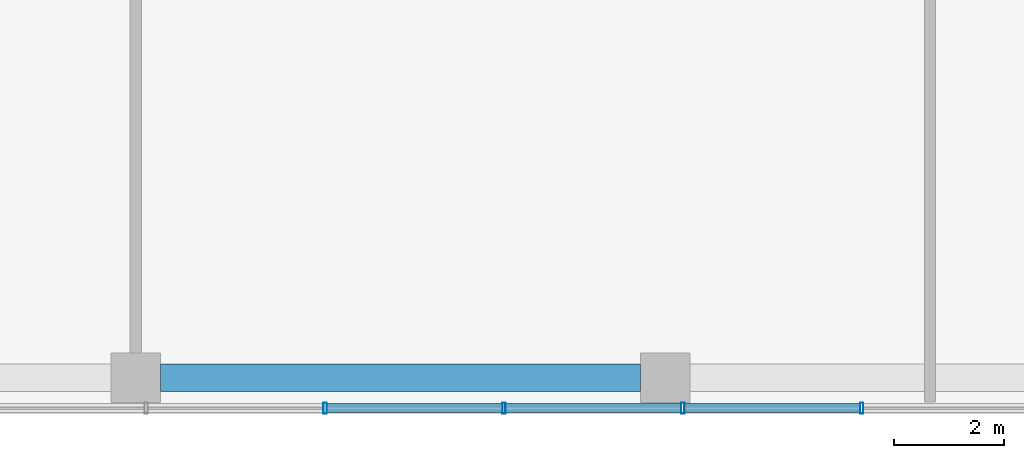
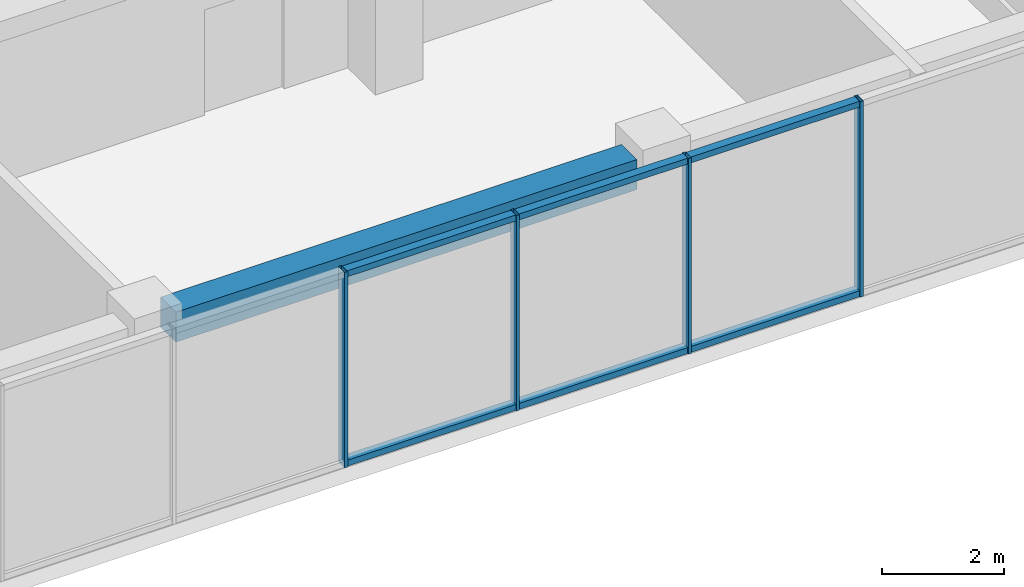
# One storey, part 12 of 38: 10 members, 1 beam, 1 element without a shape of its own.
"""IFC4 building model written with IfcOpenShell, lengths in metres."""

from ifc_helpers import new_model, si_unit, direction, frame, origin, origin_2d, place, context, subcontext, project, spatial, rectangle, hollow_rectangle, extrude, material, layer, layer_set, material_profile, profile_set, type_object, element, aggregate, save


model = new_model("IFC4")

# Units and contexts
model_context = context("Model", 3, precision=1e-05, world=origin(), true_north=direction((0.0, 1.0)))
body_context = subcontext(model_context, "Body", "Model", "MODEL_VIEW")
ifc_project = project(units=[si_unit("LENGTHUNIT", "METRE"), si_unit("AREAUNIT", "SQUARE_METRE"), si_unit("VOLUMEUNIT", "CUBIC_METRE"), si_unit("PLANEANGLEUNIT", "RADIAN"), si_unit("MASSUNIT", "GRAM", prefix="KILO")], contexts=[model_context])

# Site, building, storey
site_placement = place(None, origin())
site = spatial("IfcSite", under=ifc_project, at=site_placement, CompositionType="ELEMENT")
building_placement = place(site_placement, origin())
building = spatial("IfcBuilding", under=site, at=building_placement, Name="Nzadi Deep Aquarium and Research Tower", CompositionType="ELEMENT")
storey_placement = place(building_placement, frame((0.0, 0.0, 48.699951171875)))
storey = spatial("IfcBuildingStorey", under=building, at=storey_placement, Name="L09", CompositionType="ELEMENT", Elevation=48.699951171875)

# Curtain wall, members
ifc_material_1 = material(Name="Aluminium unitised frame", Category="aluminium")
ifc_layer = layer(ifc_material_1, 0.199951171875)
ifc_layer_set = layer_set([ifc_layer], Name="Aluminium unitised frame")
curtain_wall_type = type_object("IfcCurtainWallType", Name="Curtain wall Unitised 200", PredefinedType="NOTDEFINED", material=ifc_layer_set)
curtain_wall_placement = place(storey_placement, origin())
curtain_wall = element("IfcCurtainWall", 1, at=curtain_wall_placement, inside=storey, type_object=curtain_wall_type, Name="Unitised curtain wall blade A south L09", PredefinedType="NOTDEFINED")
ifc_material_2 = material(Name="Aluminium unitised frame", Category="aluminium")
ifc_material_profile_1 = material_profile(ifc_material_2, hollow_rectangle(XDim=0.199951171875, YDim=0.06005859375, WallThickness=0.0048828125, at=origin_2d()))
ifc_profile_set_1 = profile_set([ifc_material_profile_1], Name="Aluminium unitised frame")
member_type_1 = type_object("IfcMemberType", Name="Mullion 60x200 Unitised", PredefinedType="MULLION", material=ifc_profile_set_1)
member_1_placement = place(storey_placement, frame((32.2333984375, -0.10009765625, 0.0), z_axis=(0.0, 0.0, 1.0), x_axis=(0.0, 1.0, 0.0)))
member_1 = element("IfcMember", 2, at=member_1_placement, type_object=member_type_1, Name="CW029 mullion 11", PredefinedType="MULLION", context=body_context, shape_type="SweptSolid", body=[
    extrude(hollow_rectangle(XDim=0.199951171875, YDim=0.06005859375, WallThickness=0.0048828125, at=origin_2d()), origin(), (0.0, 0.0, 1.0), 3.900146484375),
])
member_2_placement = place(storey_placement, frame((35.4765625, -0.10009765625, 0.0), z_axis=(0.0, 0.0, 1.0), x_axis=(0.0, 1.0, 0.0)))
member_2 = element("IfcMember", 3, at=member_2_placement, type_object=member_type_1, Name="CW029 mullion 12", PredefinedType="MULLION", context=body_context, shape_type="SweptSolid", body=[
    extrude(hollow_rectangle(XDim=0.199951171875, YDim=0.06005859375, WallThickness=0.0048828125, at=origin_2d()), origin(), (0.0, 0.0, 1.0), 3.900146484375),
])
member_3_placement = place(storey_placement, frame((38.719970703125, -0.10009765625, 0.0), z_axis=(0.0, 0.0, 1.0), x_axis=(0.0, 1.0, 0.0)))
member_3 = element("IfcMember", 4, at=member_3_placement, type_object=member_type_1, Name="CW029 mullion 13", PredefinedType="MULLION", context=body_context, shape_type="SweptSolid", body=[
    extrude(hollow_rectangle(XDim=0.199951171875, YDim=0.06005859375, WallThickness=0.0048828125, at=origin_2d()), origin(), (0.0, 0.0, 1.0), 3.900146484375),
])
member_4_placement = place(storey_placement, frame((41.96337890625, -0.10009765625, 0.0), z_axis=(0.0, 0.0, 1.0), x_axis=(0.0, 1.0, 0.0)))
member_4 = element("IfcMember", 5, at=member_4_placement, type_object=member_type_1, Name="CW029 mullion 14", PredefinedType="MULLION", context=body_context, shape_type="SweptSolid", body=[
    extrude(hollow_rectangle(XDim=0.199951171875, YDim=0.06005859375, WallThickness=0.0048828125, at=origin_2d()), origin(), (0.0, 0.0, 1.0), 3.900146484375),
])

# Beam
ifc_material_3 = material(Name="Concrete C35/45", Category="concrete")
ifc_material_profile_2 = material_profile(ifc_material_3, rectangle(XDim=0.5, YDim=0.60009765625, at=origin_2d()))
ifc_profile_set_2 = profile_set([ifc_material_profile_2], Name="Concrete C35/45")
beam_type = type_object("IfcBeamType", Name="RC 500x600", PredefinedType="BEAM", material=ifc_profile_set_2)
beam_placement = place(storey_placement, frame((29.25, 0.449951171875, 3.60009765625), z_axis=(1.0, 0.0, 0.0), x_axis=(0.0, 1.0, 0.0)))
element("IfcBeam", 6, at=beam_placement, inside=storey, type_object=beam_type, Name="B-Z1-L09-L1-4", PredefinedType="BEAM", context=body_context, shape_type="SweptSolid", body=[
    extrude(rectangle(XDim=0.5, YDim=0.60009765625, at=origin_2d()), origin(), (0.0, 0.0, 1.0), 8.699951171875),
])

# Member
ifc_material_4 = material(Name="Aluminium unitised frame", Category="aluminium")
ifc_material_profile_3 = material_profile(ifc_material_4, hollow_rectangle(XDim=0.159912109375, YDim=0.1201171875, WallThickness=0.0048828125, at=origin_2d()))
ifc_profile_set_3 = profile_set([ifc_material_profile_3], Name="Aluminium unitised frame")
member_type_2 = type_object("IfcMemberType", Name="Transom 120x160 Unitised", PredefinedType="MULLION", material=ifc_profile_set_3)
member_5_placement = place(storey_placement, frame((32.263427734375, -0.10009765625, 0.06005859375), z_axis=(1.0, 0.0, 0.0), x_axis=(0.0, 1.0, 0.0)))
member_5 = element("IfcMember", 7, at=member_5_placement, type_object=member_type_2, Name="CW029 transom 11.1", PredefinedType="MULLION", context=body_context, shape_type="SweptSolid", body=[
    extrude(hollow_rectangle(XDim=0.159912109375, YDim=0.1201171875, WallThickness=0.0048828125, at=origin_2d()), origin(), (0.0, 0.0, 1.0), 3.183349609375),
])

member_6_placement = place(storey_placement, frame((32.263427734375, -0.10009765625, 3.840087890625), z_axis=(1.0, 0.0, 0.0), x_axis=(0.0, 1.0, 0.0)))
member_6 = element("IfcMember", 8, at=member_6_placement, type_object=member_type_2, Name="CW029 transom 11.2", PredefinedType="MULLION", context=body_context, shape_type="SweptSolid", body=[
    extrude(hollow_rectangle(XDim=0.159912109375, YDim=0.1201171875, WallThickness=0.0048828125, at=origin_2d()), origin(), (0.0, 0.0, 1.0), 3.183349609375),
])

member_7_placement = place(storey_placement, frame((35.506591796875, -0.10009765625, 0.06005859375), z_axis=(1.0, 0.0, 0.0), x_axis=(0.0, 1.0, 0.0)))
member_7 = element("IfcMember", 9, at=member_7_placement, type_object=member_type_2, Name="CW029 transom 12.1", PredefinedType="MULLION", context=body_context, shape_type="SweptSolid", body=[
    extrude(hollow_rectangle(XDim=0.159912109375, YDim=0.1201171875, WallThickness=0.0048828125, at=origin_2d()), origin(), (0.0, 0.0, 1.0), 3.183349609375),
])

member_8_placement = place(storey_placement, frame((35.506591796875, -0.10009765625, 3.840087890625), z_axis=(1.0, 0.0, 0.0), x_axis=(0.0, 1.0, 0.0)))
member_8 = element("IfcMember", 10, at=member_8_placement, type_object=member_type_2, Name="CW029 transom 12.2", PredefinedType="MULLION", context=body_context, shape_type="SweptSolid", body=[
    extrude(hollow_rectangle(XDim=0.159912109375, YDim=0.1201171875, WallThickness=0.0048828125, at=origin_2d()), origin(), (0.0, 0.0, 1.0), 3.183349609375),
])

member_9_placement = place(storey_placement, frame((38.75, -0.10009765625, 0.06005859375), z_axis=(1.0, 0.0, 0.0), x_axis=(0.0, 1.0, 0.0)))
member_9 = element("IfcMember", 11, at=member_9_placement, type_object=member_type_2, Name="CW029 transom 13.1", PredefinedType="MULLION", context=body_context, shape_type="SweptSolid", body=[
    extrude(hollow_rectangle(XDim=0.159912109375, YDim=0.1201171875, WallThickness=0.0048828125, at=origin_2d()), origin(), (0.0, 0.0, 1.0), 3.183349609375),
])

member_10_placement = place(storey_placement, frame((38.75, -0.10009765625, 3.840087890625), z_axis=(1.0, 0.0, 0.0), x_axis=(0.0, 1.0, 0.0)))
member_10 = element("IfcMember", 12, at=member_10_placement, type_object=member_type_2, Name="CW029 transom 13.2", PredefinedType="MULLION", context=body_context, shape_type="SweptSolid", body=[
    extrude(hollow_rectangle(XDim=0.159912109375, YDim=0.1201171875, WallThickness=0.0048828125, at=origin_2d()), origin(), (0.0, 0.0, 1.0), 3.183349609375),
])

aggregate(curtain_wall, [member_1, member_2, member_3, member_4, member_5, member_6, member_7, member_8, member_9, member_10])

save(model, "model.ifc")
